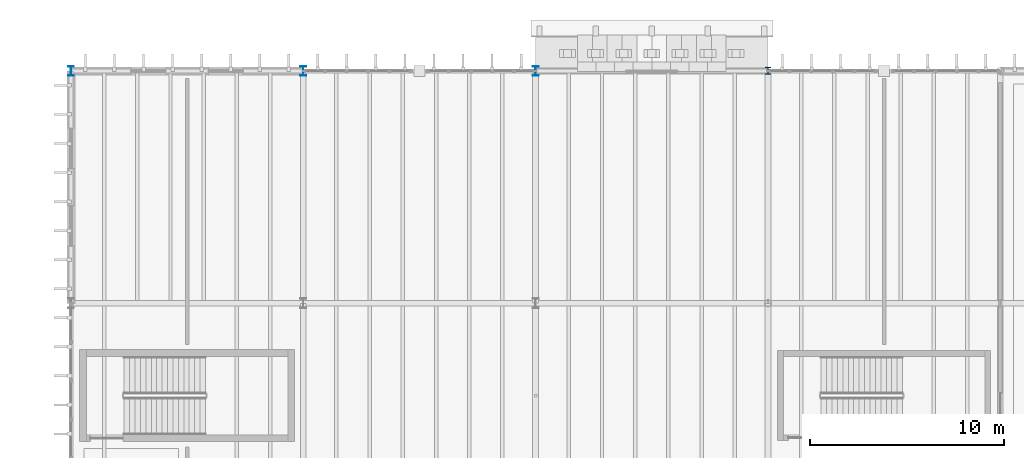
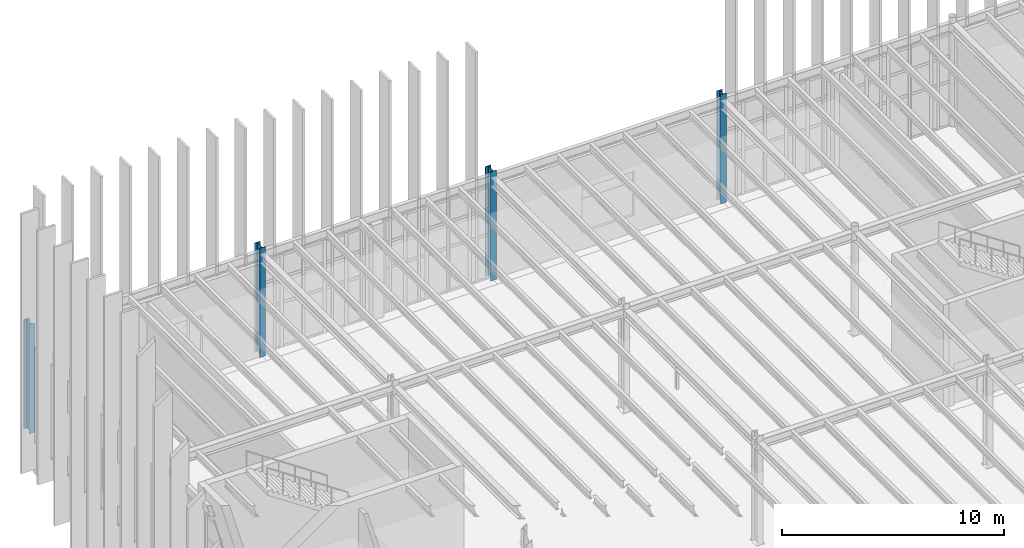
# One storey, part 5 of 83: 4 columns.
"""IFC4 building model written with IfcOpenShell, lengths in metres."""

import ifcopenshell
import ifcopenshell.guid

model = None  # the IFC model being written
_history = None  # IfcOwnerHistory: only IFC2X3 demands one
_inside = {}  # id of a spatial element -> (the spatial element, [elements in it])
_under = {}  # id of a project, library or spatial element -> (it, [spatial elements below it])
_declared = {}  # id of a project -> (the project, [libraries it declares])
_typed = {}  # id of a type object -> (the type object, [elements of that type])
_made_of = {}  # id of a material, layer set ... -> (it, [elements and type objects made of it])


def new_model(schema):
    """Start an empty IFC model of exactly this schema.

    Asked for "IFC4X3", IfcOpenShell would pick the latest addendum, in which some entities
    have other attributes; the version numbers below select the first issue.
    IFC2X3 requires an IfcOwnerHistory on every rooted entity: one is made here for all.
    """
    global model, _history
    if schema == "IFC4X3":
        model = ifcopenshell.file(schema_version=(4, 3, 0, 0))
    else:
        model = ifcopenshell.file(schema=schema)
    _inside.clear()
    _under.clear()
    _declared.clear()
    _typed.clear()
    _made_of.clear()
    _history = None
    if model.schema == "IFC2X3":
        org = make("IfcOrganization", Name="unknown")
        user = make(
            "IfcPersonAndOrganization",
            ThePerson=make("IfcPerson", FamilyName="unknown"),
            TheOrganization=org,
        )
        app = make(
            "IfcApplication",
            ApplicationDeveloper=org,
            Version="unknown",
            ApplicationFullName="unknown",
            ApplicationIdentifier="unknown",
        )
        _history = make(
            "IfcOwnerHistory",
            OwningUser=user,
            OwningApplication=app,
            ChangeAction="ADDED",
            CreationDate=0,
        )
    return model


def make(cls, **values):
    """One entity of the class cls with the attributes given. An attribute that is None is left unset."""
    return model.create_entity(
        cls, **{name: value for name, value in values.items() if value is not None}
    )


def rooted(cls, **values):
    """An entity with a GlobalId (a new one), such as an element, a storey or a relation."""
    return make(cls, GlobalId=ifcopenshell.guid.new(), OwnerHistory=_history, **values)


def si_unit(unit_type, name, prefix=None):
    """IfcSIUnit, for example si_unit("LENGTHUNIT", "METRE", prefix="MILLI")."""
    return make("IfcSIUnit", UnitType=unit_type, Prefix=prefix, Name=name)


def assignment(units):
    """IfcUnitAssignment: the units of a project."""
    return None if units is None else make("IfcUnitAssignment", Units=units)


def point(xyz):
    """IfcCartesianPoint."""
    return None if xyz is None else make("IfcCartesianPoint", Coordinates=xyz)


def direction(xyz):
    """IfcDirection."""
    return None if xyz is None else make("IfcDirection", DirectionRatios=xyz)


def frame(location, z_axis=None, x_axis=None):
    """IfcAxis2Placement3D, a coordinate frame: its origin and axes. An axis left out is left unset."""
    return make(
        "IfcAxis2Placement3D",
        Location=point(location),
        Axis=direction(z_axis),
        RefDirection=direction(x_axis),
    )


def frame_2d(location, x_axis=None):
    """IfcAxis2Placement2D, a coordinate frame in the plane: its origin and x axis."""
    return make(
        "IfcAxis2Placement2D", Location=point(location), RefDirection=direction(x_axis)
    )


def origin():
    """The frame at (0, 0, 0) with its axes left unset."""
    return frame((0.0, 0.0, 0.0))


def origin_2d():
    """The frame at (0, 0) in the plane with its x axis left unset."""
    return frame_2d((0.0, 0.0))


def place(relative_to, where):
    """IfcLocalPlacement: puts the frame where relative to a parent placement (None: the world)."""
    return make(
        "IfcLocalPlacement", PlacementRelTo=relative_to, RelativePlacement=where
    )


def context(
    kind, dimensions, precision=None, world=None, true_north=None, identifier=None
):
    """IfcGeometricRepresentationContext, for example the 3D "Model" context."""
    return make(
        "IfcGeometricRepresentationContext",
        ContextIdentifier=identifier,
        ContextType=kind,
        CoordinateSpaceDimension=dimensions,
        Precision=precision,
        WorldCoordinateSystem=world,
        TrueNorth=true_north,
    )


def subcontext(parent, identifier, kind, view, scale=None):
    """IfcGeometricRepresentationSubContext, for example "Body" below "Model"."""
    return make(
        "IfcGeometricRepresentationSubContext",
        ContextIdentifier=identifier,
        ContextType=kind,
        ParentContext=parent,
        TargetScale=scale,
        TargetView=view,
    )


def project(units=None, contexts=None):
    """IfcProject with its units and contexts."""
    return rooted(
        "IfcProject",
        Name="project",
        RepresentationContexts=contexts,
        UnitsInContext=assignment(units),
    )


def spatial(cls, under=None, at=None, **own):
    """A site, building, storey or space (cls), placed at a placement, below another one or the project."""
    s = rooted(cls, ObjectPlacement=at, **own)
    if under is not None:
        _under.setdefault(under.id(), (under, []))[1].append(s)
    return s


def profile(cls, at=None, kind="AREA", **sizes):
    """A parametric profile (cls). Its sizes go by their IFC names, for example OverallWidth=200.0."""
    return make(cls, ProfileType=kind, Position=at, **sizes)


def i_section(**sizes):
    """IfcIShapeProfileDef."""
    return profile("IfcIShapeProfileDef", **sizes)


def extrude(swept, where, along, depth):
    """IfcExtrudedAreaSolid: the profile swept, set in the frame where, extruded along a direction by depth."""
    return make(
        "IfcExtrudedAreaSolid",
        SweptArea=swept,
        Position=where,
        ExtrudedDirection=direction(along),
        Depth=depth,
    )


def shape(context_of_items, identifier, shape_type, items):
    """IfcShapeRepresentation: the items that make up one representation, for example the "Body"."""
    return make(
        "IfcShapeRepresentation",
        ContextOfItems=context_of_items,
        RepresentationIdentifier=identifier,
        RepresentationType=shape_type,
        Items=items,
    )


def material(Name=None, Category=None):
    """IfcMaterial."""
    return make("IfcMaterial", Name=Name, Category=Category)


def material_profile(
    of_material, cross_section, Name=None, Category=None, Priority=None
):
    """IfcMaterialProfile: a cross section and its material."""
    return make(
        "IfcMaterialProfile",
        Name=Name,
        Material=of_material,
        Profile=cross_section,
        Priority=Priority,
        Category=Category,
    )


def profile_set(profiles, Name=None, composite=None):
    """IfcMaterialProfileSet."""
    return make(
        "IfcMaterialProfileSet",
        Name=Name,
        MaterialProfiles=profiles,
        CompositeProfile=composite,
    )


def made_of(thing, what):
    """Note that an element or type object is made of a material, layer set ...; save() writes the relation."""
    if what is not None:
        _made_of.setdefault(what.id(), (what, []))[1].append(thing)
    return thing


def type_object(cls, material=None, **own):
    """A type object (cls), such as IfcWallType, which elements share."""
    return made_of(rooted(cls, **own), material)


def element(
    cls,
    number,
    at=None,
    inside=None,
    cuts=None,
    type_object=None,
    material=None,
    context=None,
    identifier="Body",
    shape_type=None,
    held_by="IfcProductDefinitionShape",
    body=None,
    shapes=None,
    **own,
):
    """One element of the class cls, such as IfcWall. Its Tag is "e" and its number.

    at: its placement. inside: the storey or other place that contains it. cuts: it is an
    opening in that element (IfcRelVoidsElement). A single representation is given by context,
    identifier, shape_type and body (its items); several are given by shapes. held_by: the class
    of the entity that holds the representations. save() writes the other relations.
    """
    e = rooted(cls, Tag="e%d" % number, ObjectPlacement=at, **own)
    if body is not None:
        shapes = [shape(context, identifier, shape_type, body)]
    if shapes is not None:
        e.Representation = make(held_by, Representations=shapes)
    if inside is not None:
        _inside.setdefault(inside.id(), (inside, []))[1].append(e)
    if cuts is not None:
        rooted(
            "IfcRelVoidsElement", RelatingBuildingElement=cuts, RelatedOpeningElement=e
        )
    if type_object is not None:
        _typed.setdefault(type_object.id(), (type_object, []))[1].append(e)
    return made_of(e, material)


def aggregate(whole, parts):
    """IfcRelAggregates: a whole, such as a stair, and the parts it consists of."""
    return rooted("IfcRelAggregates", RelatingObject=whole, RelatedObjects=parts)


def save(model, path):
    """Write the relations noted so far, then the file.

    IfcRelAggregates (storeys below a building ...), IfcRelContainedInSpatialStructure (elements
    in a storey), IfcRelDefinesByType, IfcRelAssociatesMaterial and IfcRelDeclares: one each for
    every whole, place, type object, material and project.
    """
    for whole, parts in _under.values():
        aggregate(whole, parts)
    for where, things in _inside.values():
        rooted(
            "IfcRelContainedInSpatialStructure",
            RelatedElements=things,
            RelatingStructure=where,
        )
    for kind, things in _typed.values():
        rooted("IfcRelDefinesByType", RelatedObjects=things, RelatingType=kind)
    for what, things in _made_of.values():
        rooted("IfcRelAssociatesMaterial", RelatedObjects=things, RelatingMaterial=what)
    for by, libraries in _declared.values():
        rooted("IfcRelDeclares", RelatingContext=by, RelatedDefinitions=libraries)
    model.write(path)


model = new_model("IFC4")

# Units and contexts
model_context = context("Model", 3, precision=1e-05, world=origin(), true_north=direction((0.0, 1.0)))
body_context = subcontext(model_context, "Body", "Model", "MODEL_VIEW")
ifc_project = project(units=[si_unit("LENGTHUNIT", "METRE"), si_unit("AREAUNIT", "SQUARE_METRE"), si_unit("VOLUMEUNIT", "CUBIC_METRE"), si_unit("PLANEANGLEUNIT", "RADIAN"), si_unit("MASSUNIT", "GRAM", prefix="KILO")], contexts=[model_context])

# Site, building, storey
site_placement = place(None, origin())
site = spatial("IfcSite", under=ifc_project, at=site_placement, CompositionType="ELEMENT")
building_placement = place(site_placement, origin())
building = spatial("IfcBuilding", under=site, at=building_placement, Name="Zlatogorsky Bluff Art Gallery", CompositionType="ELEMENT")
storey_placement = place(building_placement, frame((0.0, 0.0, 10.800048828125)))
storey = spatial("IfcBuildingStorey", under=building, at=storey_placement, Name="L02", CompositionType="ELEMENT", Elevation=10.800048828125)

# Columns
ifc_material = material(Name="Steel S355", Category="steel")
ifc_material_profile_1 = material_profile(ifc_material, i_section(OverallWidth=0.300048828125, OverallDepth=0.5, WebThickness=0.014404296875, FlangeThickness=0.028076171875, FilletRadius=0.027099609375, at=origin_2d()), Name="HEB 500")
ifc_profile_set_1 = profile_set([ifc_material_profile_1], Name="Steel S355")
column_type_1 = type_object("IfcColumnType", Name="Column CL-02 HEB 500", PredefinedType="COLUMN", material=ifc_profile_set_1)
for number, where, z_axis, x_axis, name in (
    (1, (0.0, 120.0, 0.0), (0.0, 0.0, 1.0), (1.0, 0.0, 0.0), "Column CL-02 L02 A12"),
    (2, (12.0, 120.0, 0.0), (0.0, 0.0, 1.0), (1.0, 0.0, 0.0), "Column CL-02 L02 B12"),
    (3, (24.0, 120.0, 0.0), (0.0, 0.0, 1.0), (1.0, 0.0, 0.0), "Column CL-02 L02 C12"),
):
    element("IfcColumn", number, at=place(storey_placement, frame(where, z_axis=z_axis, x_axis=x_axis)), inside=storey, type_object=column_type_1, Name=name, PredefinedType="COLUMN", context=body_context, shape_type="SweptSolid", body=[
        extrude(i_section(OverallWidth=0.300048828125, OverallDepth=0.5, WebThickness=0.014404296875, FlangeThickness=0.028076171875, FilletRadius=0.027099609375, at=origin_2d()), origin(), (0.0, 0.0, 1.0), 6.0),
    ])
ifc_material_profile_2 = material_profile(ifc_material, i_section(OverallWidth=0.300048828125, OverallDepth=0.360107421875, WebThickness=0.012451171875, FlangeThickness=0.0224609375, FilletRadius=0.027099609375, at=origin_2d()), Name="HEB 360")
ifc_profile_set_2 = profile_set([ifc_material_profile_2], Name="Steel S355")
column_type_2 = type_object("IfcColumnType", Name="Column CL-05 HEB 360", PredefinedType="COLUMN", material=ifc_profile_set_2)
column_placement = place(storey_placement, frame((36.0, 120.0, 0.0), z_axis=(0.0, 0.0, 1.0), x_axis=(1.0, 0.0, 0.0)))
element("IfcColumn", 4, at=column_placement, inside=storey, type_object=column_type_2, Name="Column CL-05 L02 D12", PredefinedType="COLUMN", context=body_context, shape_type="SweptSolid", body=[
    extrude(i_section(OverallWidth=0.300048828125, OverallDepth=0.360107421875, WebThickness=0.012451171875, FlangeThickness=0.0224609375, FilletRadius=0.027099609375, at=origin_2d()), origin(), (0.0, 0.0, 1.0), 6.0),
])

save(model, "model.ifc")
